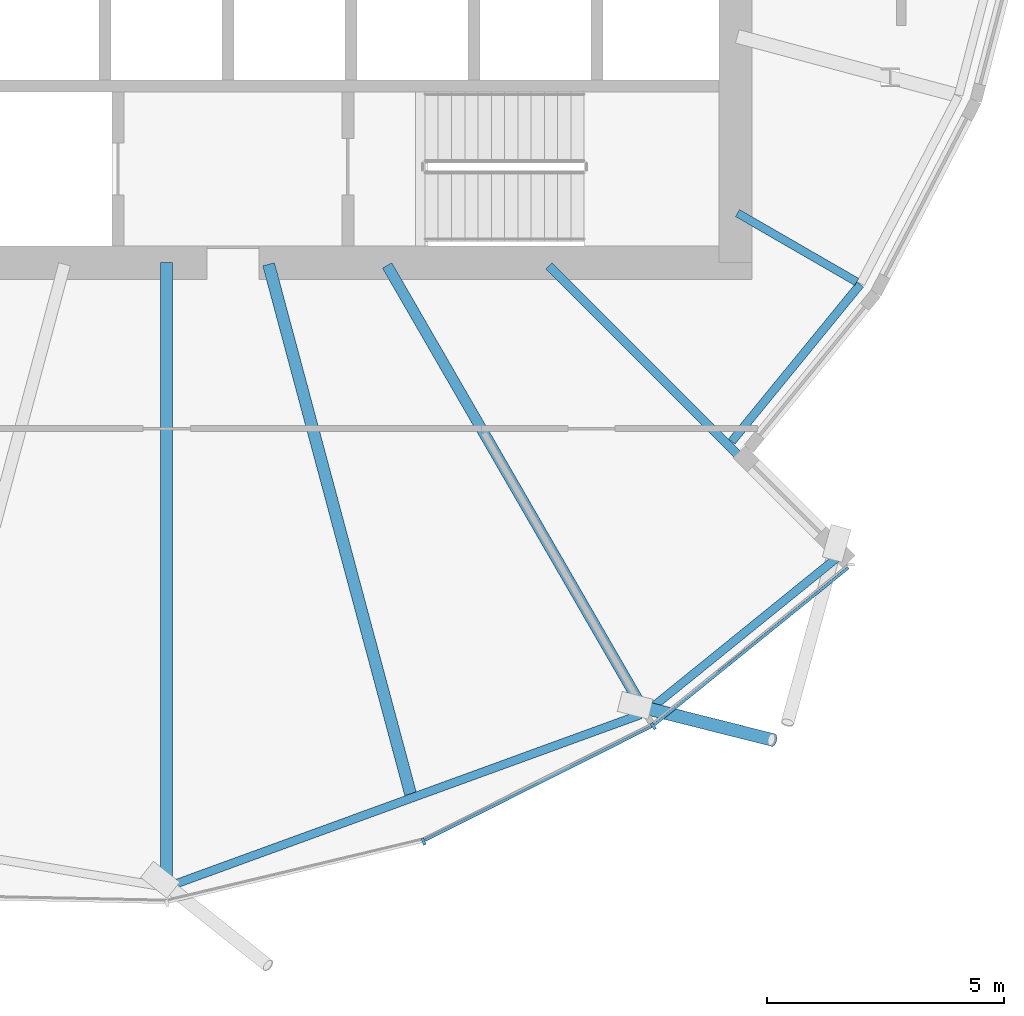
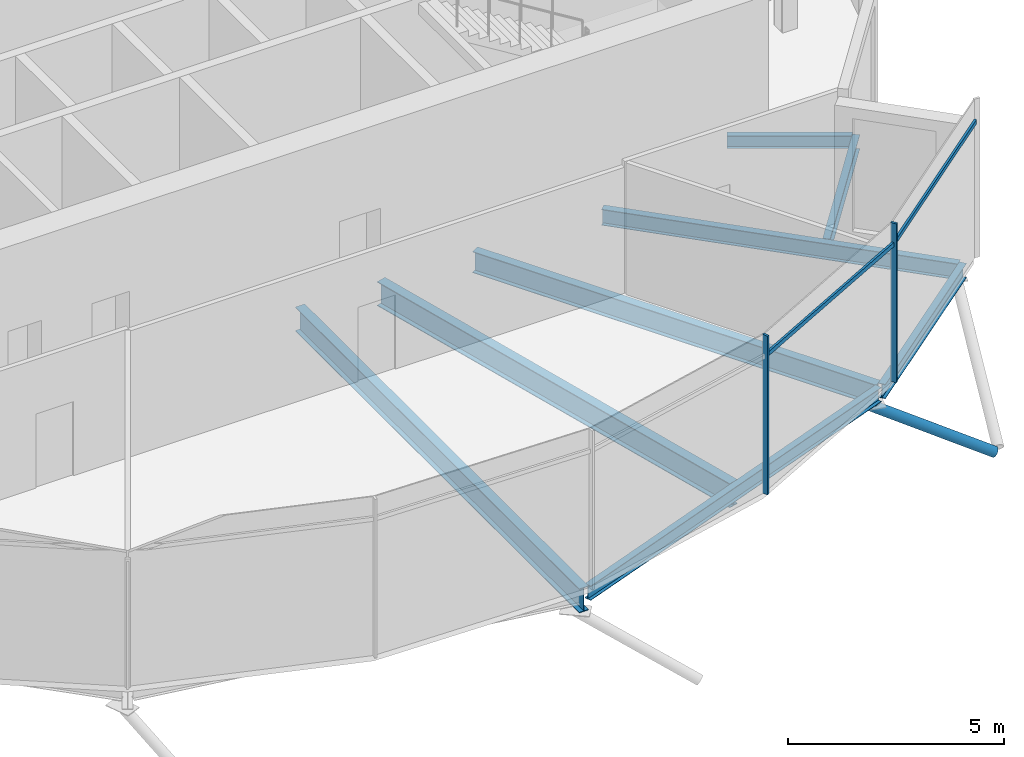
# One storey, part 12 of 36: 8 beams, 5 members, 1 element without a shape of its own.
"""IFC4 building model written with IfcOpenShell, lengths in metres."""

from ifc_helpers import new_model, si_unit, direction, frame, origin, origin_2d, place, context, subcontext, project, spatial, rectangle, hollow_circle, i_section, extrude, clip, halfspace, material, material_profile, profile_set, type_object, element, aggregate, save


model = new_model("IFC4")

# Units and contexts
model_context = context("Model", 3, precision=1e-05, world=origin(), true_north=direction((0.0, 1.0)))
body_context = subcontext(model_context, "Body", "Model", "MODEL_VIEW")
ifc_project = project(units=[si_unit("LENGTHUNIT", "METRE"), si_unit("AREAUNIT", "SQUARE_METRE"), si_unit("VOLUMEUNIT", "CUBIC_METRE"), si_unit("PLANEANGLEUNIT", "RADIAN"), si_unit("MASSUNIT", "GRAM", prefix="KILO")], contexts=[model_context])

# Site, building, storey
site_placement = place(None, origin())
site = spatial("IfcSite", under=ifc_project, at=site_placement, CompositionType="ELEMENT")
building_placement = place(site_placement, origin())
building = spatial("IfcBuilding", under=site, at=building_placement, Name="Rimbun Link Towers", CompositionType="ELEMENT")
storey_placement = place(building_placement, frame((0.0, 0.0, 154.39990234375)))
storey = spatial("IfcBuildingStorey", under=building, at=storey_placement, Name="L37", CompositionType="ELEMENT", Elevation=154.39990234375)

# Curtain wall, members
ifc_material_1 = material(Name="Aluminium 6063-T6 and low-iron glass", Category="aluminium")
curtain_wall_type = type_object("IfcCurtainWallType", Name="CW5 full height lobby wall", PredefinedType="NOTDEFINED", material=ifc_material_1)
curtain_wall_placement = place(storey_placement, origin())
curtain_wall = element("IfcCurtainWall", 1, at=curtain_wall_placement, inside=storey, type_object=curtain_wall_type, Name="CW5 L37 T2", PredefinedType="NOTDEFINED")
ifc_material_2 = material(Name="Aluminium 6063-T6", Category="aluminium")
ifc_material_profile_1 = material_profile(ifc_material_2, rectangle(XDim=0.14990234375, YDim=0.06005859375, at=origin_2d()), Name="MULLION 60X150")
ifc_profile_set_1 = profile_set([ifc_material_profile_1], Name="Aluminium 6063-T6")
member_type_1 = type_object("IfcMemberType", Name="CW5 mullion 60X150", PredefinedType="MULLION", material=ifc_profile_set_1)
member_1_placement = place(storey_placement, frame((37.17236328125, -20.2109375, 0.0), z_axis=(0.0, 0.0, 1.0), x_axis=(0.342963066451, -0.939348888886, 0.0)))
member_1 = element("IfcMember", 2, at=member_1_placement, type_object=member_type_1, Name="CW5 mullion", PredefinedType="MULLION", context=body_context, shape_type="SweptSolid", body=[
    extrude(rectangle(XDim=0.14990234375, YDim=0.06005859375, at=origin_2d()), origin(), (0.0, 0.0, 1.0), 4.5),
])
member_2_placement = place(storey_placement, frame((42.01806640625, -17.777587890625, 0.0), z_axis=(0.0, 0.0, 1.0), x_axis=(0.542101516084, -0.840313004933, 0.0)))
member_2 = element("IfcMember", 3, at=member_2_placement, type_object=member_type_1, Name="CW5 mullion", PredefinedType="MULLION", context=body_context, shape_type="SweptSolid", body=[
    extrude(rectangle(XDim=0.14990234375, YDim=0.06005859375, at=origin_2d()), origin(), (0.0, 0.0, 1.0), 4.5),
])
ifc_material_3 = material(Name="Aluminium 6063-T6", Category="aluminium")
ifc_material_profile_2 = material_profile(ifc_material_3, rectangle(XDim=0.06005859375, YDim=0.1201171875, at=origin_2d()), Name="TRANSOM 60X120")
ifc_profile_set_2 = profile_set([ifc_material_profile_2], Name="Aluminium 6063-T6")
member_type_2 = type_object("IfcMemberType", Name="CW5 transom 60X120", PredefinedType="USERDEFINED", material=ifc_profile_set_2)
member_3_placement = place(storey_placement, frame((41.978515625, -17.783447265625, 3.900146484375), z_axis=(-0.893631115408, -0.448802216544, 0.0), x_axis=(0.448802216544, -0.893631115408, 0.0)))
member_3 = element("IfcMember", 4, at=member_3_placement, type_object=member_type_2, Name="CW5 transom", ObjectType="TRANSOM", PredefinedType="USERDEFINED", context=body_context, shape_type="SweptSolid", body=[
    extrude(rectangle(XDim=0.06005859375, YDim=0.1201171875, at=origin_2d()), origin(), (0.0, 0.0, 1.0), 5.345703125),
])
member_4_placement = place(storey_placement, frame((46.131103515625, -14.432373046875, 3.900146484375), z_axis=(-0.777290235302, -0.62914218592, 0.0), x_axis=(0.62914218592, -0.777290235302, 0.0)))
member_4 = element("IfcMember", 5, at=member_4_placement, type_object=member_type_2, Name="CW5 transom", ObjectType="TRANSOM", PredefinedType="USERDEFINED", context=body_context, shape_type="SweptSolid", body=[
    extrude(rectangle(XDim=0.06005859375, YDim=0.1201171875, at=origin_2d()), origin(), (0.0, 0.0, 1.0), 5.263671875),
])
aggregate(curtain_wall, [member_1, member_2, member_3, member_4])

# Member
ifc_material_4 = material(Name="Steel S355J2H", Category="steel")
ifc_material_profile_3 = material_profile(ifc_material_4, hollow_circle(Radius=0.136474609375, WallThickness=0.012451171875, at=origin_2d()), Name="CHS 273x12.5")
ifc_profile_set_3 = profile_set([ifc_material_profile_3], Name="Steel S355J2H")
member_type_3 = type_object("IfcMemberType", Name="Floor edge link CHS 273x12.5", PredefinedType="BRACE", material=ifc_profile_set_3)
member_5_placement = place(storey_placement, frame((41.780517578125, -17.373291015625, -0.89794921875), z_axis=(0.819384246372, -0.206582658371, -0.534727091195), x_axis=(0.244469339488, 0.969657022895, 0.0)))
element("IfcMember", 6, at=member_5_placement, inside=storey, type_object=member_type_3, Name="Floor edge link T2 L37 17", PredefinedType="BRACE", context=body_context, shape_type="Clipping", body=[
    clip(extrude(hollow_circle(Radius=0.136474609375, WallThickness=0.012451171875, at=origin_2d()), frame((0.0, 0.0, -0.4501953125)), (0.0, 0.0, 1.0), 3.82421875), halfspace(frame((0.0, 0.0, -0.212158203125), z_axis=(0.0, 0.845024814986, -0.534727091195)), False)),
])

# Beams
ifc_material_5 = material(Name="Steel S355J2", Category="steel")
ifc_material_profile_4 = material_profile(ifc_material_5, i_section(OverallWidth=0.17138671875, OverallDepth=0.35498046875, WebThickness=0.00732421875, FlangeThickness=0.011474609375, at=origin_2d()), Name="UB 356x171x51")
ifc_profile_set_4 = profile_set([ifc_material_profile_4], Name="Steel S355J2")
beam_type_1 = type_object("IfcBeamType", Name="UB 356x171x51", PredefinedType="BEAM", material=ifc_profile_set_4)
beam_1_placement = place(storey_placement, frame((43.793701171875, -6.95361328125, -0.357421875), z_axis=(0.866062421641, -0.49993587771, 0.0), x_axis=(0.49993587771, 0.866062421641, 0.0)))
element("IfcBeam", 7, at=beam_1_placement, inside=storey, type_object=beam_type_1, Name="Radial beam T2 L37 19", PredefinedType="BEAM", context=body_context, shape_type="SweptSolid", body=[
    extrude(i_section(OverallWidth=0.17138671875, OverallDepth=0.35498046875, WebThickness=0.00732421875, FlangeThickness=0.011474609375, at=origin_2d()), origin(), (0.0, 0.0, 1.0), 2.90478515625),
])
ifc_material_6 = material(Name="Steel S355J2", Category="steel")
ifc_material_profile_5 = material_profile(ifc_material_6, i_section(OverallWidth=0.177978515625, OverallDepth=0.406494140625, WebThickness=0.0078125, FlangeThickness=0.0126953125, at=origin_2d()), Name="UB 406x178x60")
ifc_profile_set_5 = profile_set([ifc_material_profile_5], Name="Steel S355J2")
beam_type_2 = type_object("IfcBeamType", Name="UB 406x178x60", PredefinedType="BEAM", material=ifc_profile_set_5)
beam_2_placement = place(storey_placement, frame((31.877685546875, -21.127685546875, -0.383056640625), z_axis=(0.939626268784, 0.342202388963, 0.0), x_axis=(-0.342202388963, 0.939626268784, 0.0)))
element("IfcBeam", 8, at=beam_2_placement, inside=storey, type_object=beam_type_2, Name="Edge beam T2 L37 15-17", PredefinedType="BEAM", context=body_context, shape_type="SweptSolid", body=[
    extrude(i_section(OverallWidth=0.177978515625, OverallDepth=0.406494140625, WebThickness=0.0078125, FlangeThickness=0.0126953125, at=origin_2d()), origin(), (0.0, 0.0, 1.0), 10.49755859375),
])
beam_3_placement = place(storey_placement, frame((41.851806640625, -17.494873046875, -0.383056640625), z_axis=(0.777266506307, 0.6291715014, 0.0), x_axis=(-0.6291715014, 0.777266506307, 0.0)))
element("IfcBeam", 9, at=beam_3_placement, inside=storey, type_object=beam_type_2, Name="Edge beam T2 L37 17", PredefinedType="BEAM", context=body_context, shape_type="SweptSolid", body=[
    extrude(i_section(OverallWidth=0.177978515625, OverallDepth=0.406494140625, WebThickness=0.0078125, FlangeThickness=0.0126953125, at=origin_2d()), origin(), (0.0, 0.0, 1.0), 5.255615234375),
])
beam_4_placement = place(storey_placement, frame((43.6708984375, -11.772705078125, -0.383056640625), z_axis=(0.633032798908, 0.774124974088, 0.0), x_axis=(-0.774124974088, 0.633032798908, 0.0)))
element("IfcBeam", 10, at=beam_4_placement, inside=storey, type_object=beam_type_2, Name="Edge beam T2 L37 18 recess", PredefinedType="BEAM", context=body_context, shape_type="SweptSolid", body=[
    extrude(i_section(OverallWidth=0.177978515625, OverallDepth=0.406494140625, WebThickness=0.0078125, FlangeThickness=0.0126953125, at=origin_2d()), origin(), (0.0, 0.0, 1.0), 4.281005859375),
])
ifc_material_7 = material(Name="Steel S355J2", Category="steel")
ifc_material_profile_6 = material_profile(ifc_material_7, i_section(OverallWidth=0.18994140625, OverallDepth=0.453369140625, WebThickness=0.008544921875, FlangeThickness=0.0126953125, at=origin_2d()), Name="UB 457x191x67")
ifc_profile_set_6 = profile_set([ifc_material_profile_6], Name="Steel S355J2")
beam_type_3 = type_object("IfcBeamType", Name="UB 457x191x67", PredefinedType="BEAM", material=ifc_profile_set_6)
beam_5_placement = place(storey_placement, frame((39.81787109375, -8.06787109375, -0.406494140625), z_axis=(0.707106781187, -0.707106781187, 0.0), x_axis=(0.707106781187, 0.707106781187, 0.0)))
element("IfcBeam", 11, at=beam_5_placement, inside=storey, type_object=beam_type_3, Name="Radial beam T2 L37 18", PredefinedType="BEAM", context=body_context, shape_type="SweptSolid", body=[
    extrude(i_section(OverallWidth=0.18994140625, OverallDepth=0.453369140625, WebThickness=0.008544921875, FlangeThickness=0.0126953125, at=origin_2d()), origin(), (0.0, 0.0, 1.0), 8.56396484375),
])
ifc_material_8 = material(Name="Steel S355J2", Category="steel")
ifc_material_profile_7 = material_profile(ifc_material_8, i_section(OverallWidth=0.2275390625, OverallDepth=0.6025390625, WebThickness=0.010498046875, FlangeThickness=0.014892578125, at=origin_2d()), Name="UB 610x229x101")
ifc_profile_set_7 = profile_set([ifc_material_profile_7], Name="Steel S355J2")
beam_type_4 = type_object("IfcBeamType", Name="UB 610x229x101", PredefinedType="BEAM", material=ifc_profile_set_7)
beam_6_placement = place(storey_placement, frame((36.402099609375, -8.057861328125, -0.481201171875), z_axis=(0.50000732203, -0.866021176367, 0.0), x_axis=(0.866021176367, 0.50000732203, 0.0)))
element("IfcBeam", 12, at=beam_6_placement, inside=storey, type_object=beam_type_4, Name="Radial beam T2 L37 17", PredefinedType="BEAM", context=body_context, shape_type="SweptSolid", body=[
    extrude(i_section(OverallWidth=0.2275390625, OverallDepth=0.6025390625, WebThickness=0.010498046875, FlangeThickness=0.014892578125, at=origin_2d()), origin(), (0.0, 0.0, 1.0), 10.806396484375),
])
ifc_material_9 = material(Name="Steel S355J2", Category="steel")
ifc_material_profile_8 = material_profile(ifc_material_9, i_section(OverallWidth=0.253662109375, OverallDepth=0.68359375, WebThickness=0.012451171875, FlangeThickness=0.01904296875, at=origin_2d()), Name="UB 686x254x140")
ifc_profile_set_8 = profile_set([ifc_material_profile_8], Name="Steel S355J2")
beam_type_5 = type_object("IfcBeamType", Name="UB 686x254x140", PredefinedType="BEAM", material=ifc_profile_set_8)
beam_7_placement = place(storey_placement, frame((31.75, -8.0009765625, -0.521484375), z_axis=(0.0, -1.0, 0.0), x_axis=(1.0, 0.0, 0.0)))
element("IfcBeam", 13, at=beam_7_placement, inside=storey, type_object=beam_type_5, Name="Radial beam T2 L37 15", PredefinedType="BEAM", context=body_context, shape_type="SweptSolid", body=[
    extrude(i_section(OverallWidth=0.253662109375, OverallDepth=0.68359375, WebThickness=0.012451171875, FlangeThickness=0.01904296875, at=origin_2d()), origin(), (0.0, 0.0, 1.0), 13.17333984375),
])
beam_8_placement = place(storey_placement, frame((33.902587890625, -8.03369140625, -0.521484375), z_axis=(0.25881874375, -0.965925907036, 0.0), x_axis=(0.965925907036, 0.25881874375, 0.0)))
element("IfcBeam", 14, at=beam_8_placement, inside=storey, type_object=beam_type_5, Name="Radial beam T2 L37 16", PredefinedType="BEAM", context=body_context, shape_type="SweptSolid", body=[
    extrude(i_section(OverallWidth=0.253662109375, OverallDepth=0.68359375, WebThickness=0.012451171875, FlangeThickness=0.01904296875, at=origin_2d()), origin(), (0.0, 0.0, 1.0), 11.564697265625),
])

save(model, "model.ifc")
